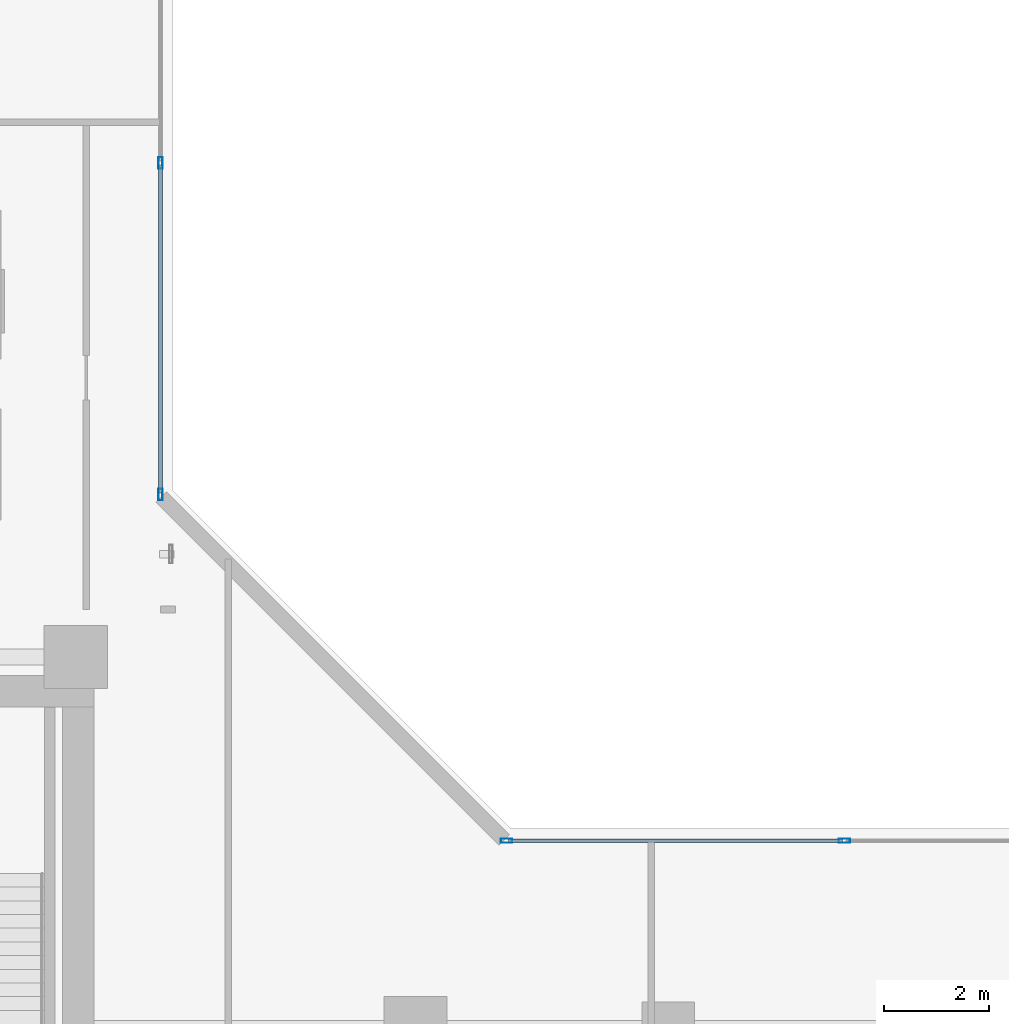
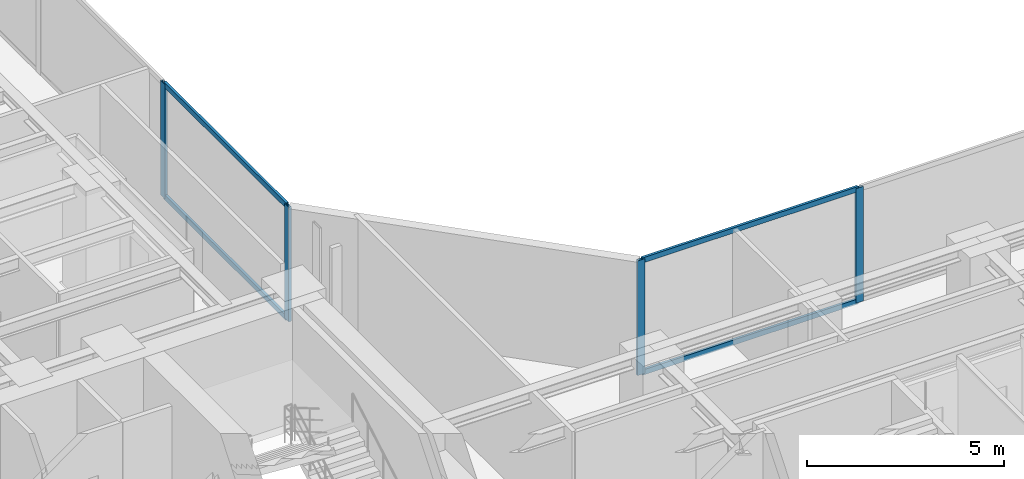
# One storey, part 9 of 26: 8 members, 2 elements without a shape of their own.
"""IFC4 building model written with IfcOpenShell, lengths in metres."""

from ifc_helpers import new_model, si_unit, direction, frame, origin, origin_with_axes, origin_2d, place, context, subcontext, project, spatial, hollow_rectangle, extrude, source, transform, mapped, material, layer, layer_set, material_profile, profile_set, type_object, element, aggregate, save


model = new_model("IFC4")

# Units and contexts
model_context = context("Model", 3, precision=1e-05, world=origin(), true_north=direction((0.0, 1.0)))
body_context = subcontext(model_context, "Body", "Model", "MODEL_VIEW")
ifc_project = project(units=[si_unit("LENGTHUNIT", "METRE"), si_unit("AREAUNIT", "SQUARE_METRE"), si_unit("VOLUMEUNIT", "CUBIC_METRE"), si_unit("PLANEANGLEUNIT", "RADIAN"), si_unit("MASSUNIT", "GRAM", prefix="KILO")], contexts=[model_context])

# Site, building, storey
site_placement = place(None, origin())
site = spatial("IfcSite", under=ifc_project, at=site_placement, CompositionType="ELEMENT")
building_placement = place(site_placement, origin())
building = spatial("IfcBuilding", under=site, at=building_placement, Name="Kolvaren Waterfront Exchange", CompositionType="ELEMENT")
storey_placement = place(building_placement, frame((0.0, 0.0, 165.199951171875)))
storey = spatial("IfcBuildingStorey", under=building, at=storey_placement, Name="L42", CompositionType="ELEMENT", Elevation=165.199951171875)

# Curtain wall, members
ifc_material_1 = material(Name="Anodised bronze aluminium 6063-T6", Category="aluminium")
ifc_layer = layer(ifc_material_1, 0.219970703125, Name="Anodised bronze aluminium 6063-T6")
ifc_layer_set = layer_set([ifc_layer], Name="Anodised bronze aluminium 6063-T6")
curtain_wall_type = type_object("IfcCurtainWallType", Name="ARC-CW-SYS1", PredefinedType="USERDEFINED", material=ifc_layer_set)
curtain_wall_1_placement = place(storey_placement, origin())
curtain_wall_1 = element("IfcCurtainWall", 1, at=curtain_wall_1_placement, inside=storey, type_object=curtain_wall_type, Name="L42 stick curtain wall CW1 (CW-L42-NE)", ObjectType="STICK CURTAIN WALL", PredefinedType="USERDEFINED")
ifc_material_2 = material(Name="Anodised aluminium 6063-T6", Category="aluminium")
ifc_material_profile_1 = material_profile(ifc_material_2, hollow_rectangle(XDim=0.080078125, YDim=0.219970703125, WallThickness=0.0048828125, at=origin_2d()), Name="ALU-MUL-220x80x5")
ifc_profile_set_1 = profile_set([ifc_material_profile_1], Name="Anodised aluminium 6063-T6")
member_type_1 = type_object("IfcMemberType", Name="ARC-CWM-220", PredefinedType="MULLION", material=ifc_profile_set_1)
shared_shape_1 = source(origin_with_axes(), body_context, "Body", "SweptSolid", [
    extrude(hollow_rectangle(XDim=0.080078125, YDim=0.219970703125, WallThickness=0.0048828125, at=origin_2d()), origin(), (0.0, 0.0, 1.0), 3.56005859375),
])
member_1_placement = place(storey_placement, frame((22.360107421875, 27.530029296875, 0.0), z_axis=(0.0, 0.0, 1.0), x_axis=(-1.0, 0.0, 0.0)))
member_1 = element("IfcMember", 2, at=member_1_placement, type_object=member_type_1, Name="CW1 mullion 1", PredefinedType="MULLION", context=body_context, shape_type="MappedRepresentation", body=[
    mapped(shared_shape_1, transform((0.0, 0.0, 0.0), x_axis=(1.0, 0.0, 0.0), y_axis=(0.0, 1.0, 0.0), z_axis=(0.0, 0.0, 1.0), scale=1.0)),
])
member_2_placement = place(storey_placement, frame((22.360107421875, 33.82666015625, 0.0), z_axis=(0.0, 0.0, 1.0), x_axis=(-1.0, 0.0, 0.0)))
member_2 = element("IfcMember", 3, at=member_2_placement, type_object=member_type_1, Name="CW1 mullion 2", PredefinedType="MULLION", context=body_context, shape_type="MappedRepresentation", body=[
    mapped(shared_shape_1, transform((0.0, 0.0, 0.0), x_axis=(1.0, 0.0, 0.0), y_axis=(0.0, 1.0, 0.0), z_axis=(0.0, 0.0, 1.0), scale=1.0)),
])

curtain_wall_2_placement = place(storey_placement, origin())
curtain_wall_2 = element("IfcCurtainWall", 4, at=curtain_wall_2_placement, inside=storey, type_object=curtain_wall_type, Name="L42 stick curtain wall CW1 (CW-L42-EN)", ObjectType="STICK CURTAIN WALL", PredefinedType="USERDEFINED")
member_3_placement = place(storey_placement, frame((28.929931640625, 20.9599609375, 0.0), z_axis=(0.0, 0.0, 1.0), x_axis=(0.0, 1.0, 0.0)))
member_3 = element("IfcMember", 5, at=member_3_placement, type_object=member_type_1, Name="CW1 mullion 1", PredefinedType="MULLION", context=body_context, shape_type="MappedRepresentation", body=[
    mapped(shared_shape_1, transform((0.0, 0.0, 0.0), x_axis=(1.0, 0.0, 0.0), y_axis=(0.0, 1.0, 0.0), z_axis=(0.0, 0.0, 1.0), scale=1.0)),
])
member_4_placement = place(storey_placement, frame((35.342529296875, 20.9599609375, 0.0), z_axis=(0.0, 0.0, 1.0), x_axis=(0.0, 1.0, 0.0)))
member_4 = element("IfcMember", 6, at=member_4_placement, type_object=member_type_1, Name="CW1 mullion 2", PredefinedType="MULLION", context=body_context, shape_type="MappedRepresentation", body=[
    mapped(shared_shape_1, transform((0.0, 0.0, 0.0), x_axis=(1.0, 0.0, 0.0), y_axis=(0.0, 1.0, 0.0), z_axis=(0.0, 0.0, 1.0), scale=1.0)),
])

# Member
ifc_material_profile_2 = material_profile(ifc_material_2, hollow_rectangle(XDim=0.074951171875, YDim=0.159912109375, WallThickness=0.00439453125, at=origin_2d()), Name="ALU-TRN-160x75x4.5")
ifc_profile_set_2 = profile_set([ifc_material_profile_2], Name="Anodised aluminium 6063-T6")
member_type_2 = type_object("IfcMemberType", Name="ARC-CWT-160", PredefinedType="USERDEFINED", material=ifc_profile_set_2)
shared_shape_2 = source(origin_with_axes(), body_context, "Body", "SweptSolid", [
    extrude(hollow_rectangle(XDim=0.074951171875, YDim=0.159912109375, WallThickness=0.00439453125, at=origin_2d()), origin(), (0.0, 0.0, 1.0), 6.216552734375),
])
member_5_placement = place(storey_placement, frame((22.360107421875, 27.570068359375, 0.03759765625), z_axis=(0.0, 1.0, 0.0), x_axis=(-1.0, 0.0, 0.0)))
member_5 = element("IfcMember", 7, at=member_5_placement, type_object=member_type_2, Name="CW1 transom 1.1", ObjectType="TRANSOM", PredefinedType="USERDEFINED", context=body_context, shape_type="MappedRepresentation", body=[
    mapped(shared_shape_2, transform((0.0, 0.0, 0.0), x_axis=(1.0, 0.0, 0.0), y_axis=(0.0, 1.0, 0.0), z_axis=(0.0, 0.0, 1.0), scale=1.0)),
])

member_6_placement = place(storey_placement, frame((22.360107421875, 27.570068359375, 3.5224609375), z_axis=(0.0, 1.0, 0.0), x_axis=(-1.0, 0.0, 0.0)))
member_6 = element("IfcMember", 8, at=member_6_placement, type_object=member_type_2, Name="CW1 transom 1.2", ObjectType="TRANSOM", PredefinedType="USERDEFINED", context=body_context, shape_type="MappedRepresentation", body=[
    mapped(shared_shape_2, transform((0.0, 0.0, 0.0), x_axis=(1.0, 0.0, 0.0), y_axis=(0.0, 1.0, 0.0), z_axis=(0.0, 0.0, 1.0), scale=1.0)),
])

aggregate(curtain_wall_1, [member_1, member_2, member_5, member_6])

shared_shape_3 = source(origin_with_axes(), body_context, "Body", "SweptSolid", [
    extrude(hollow_rectangle(XDim=0.074951171875, YDim=0.159912109375, WallThickness=0.00439453125, at=origin_2d()), origin(), (0.0, 0.0, 1.0), 6.33251953125),
])
member_7_placement = place(storey_placement, frame((28.969970703125, 20.9599609375, 0.03759765625), z_axis=(1.0, 0.0, 0.0), x_axis=(0.0, 1.0, 0.0)))
member_7 = element("IfcMember", 9, at=member_7_placement, type_object=member_type_2, Name="CW1 transom 1.1", ObjectType="TRANSOM", PredefinedType="USERDEFINED", context=body_context, shape_type="MappedRepresentation", body=[
    mapped(shared_shape_3, transform((0.0, 0.0, 0.0), x_axis=(1.0, 0.0, 0.0), y_axis=(0.0, 1.0, 0.0), z_axis=(0.0, 0.0, 1.0), scale=1.0)),
])

member_8_placement = place(storey_placement, frame((28.969970703125, 20.9599609375, 3.5224609375), z_axis=(1.0, 0.0, 0.0), x_axis=(0.0, 1.0, 0.0)))
member_8 = element("IfcMember", 10, at=member_8_placement, type_object=member_type_2, Name="CW1 transom 1.2", ObjectType="TRANSOM", PredefinedType="USERDEFINED", context=body_context, shape_type="MappedRepresentation", body=[
    mapped(shared_shape_3, transform((0.0, 0.0, 0.0), x_axis=(1.0, 0.0, 0.0), y_axis=(0.0, 1.0, 0.0), z_axis=(0.0, 0.0, 1.0), scale=1.0)),
])

aggregate(curtain_wall_2, [member_3, member_4, member_7, member_8])

save(model, "model.ifc")
